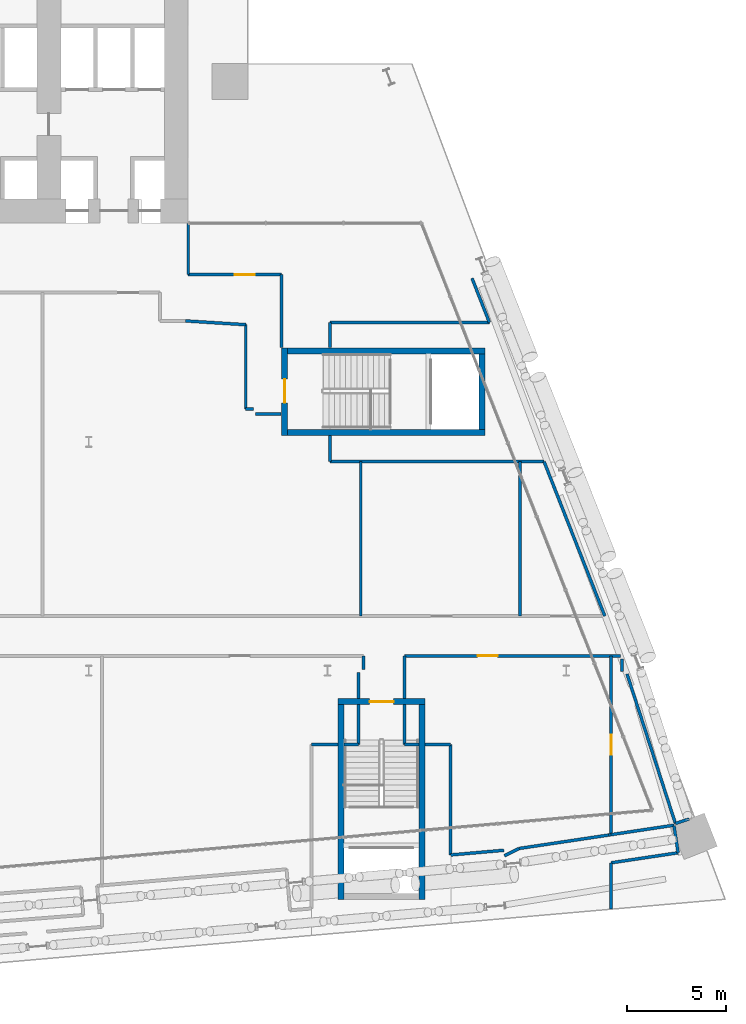
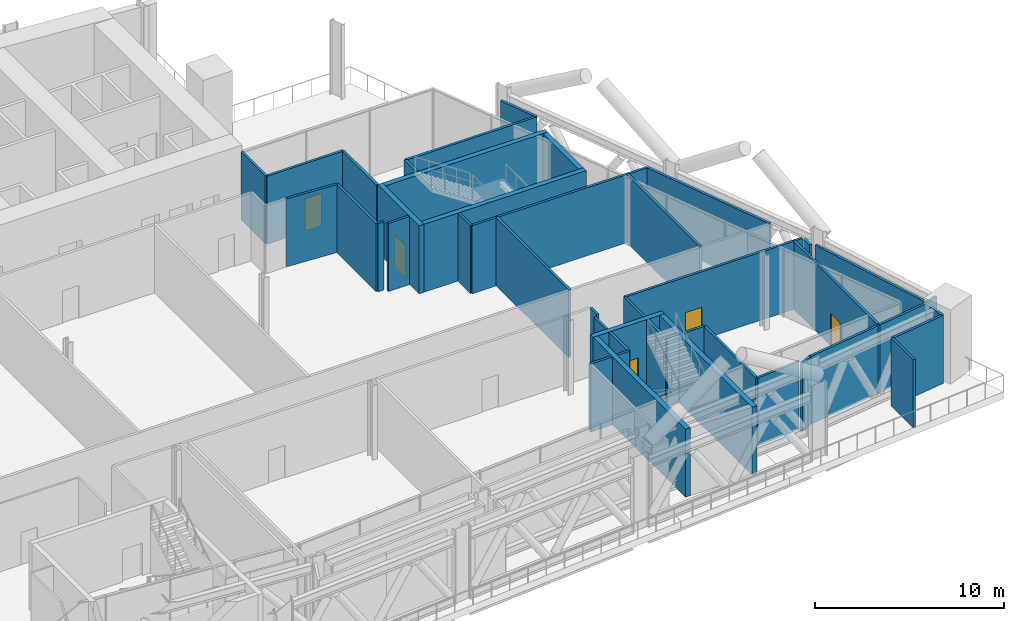
# One storey, part 22 of 39: 45 walls, 5 doors, 5 openings.
"""IFC4 building model written with IfcOpenShell, lengths in metres."""

from ifc_helpers import new_model, si_unit, direction, frame, frame_2d, origin, place, context, subcontext, project, spatial, rectangle, extrude, material, layer, layer_set, type_object, element, fill, save


model = new_model("IFC4")

# Units and contexts
model_context = context("Model", 3, precision=1e-05, world=origin(), true_north=direction((0.0, 1.0)))
body_context = subcontext(model_context, "Body", "Model", "MODEL_VIEW")
ifc_project = project(units=[si_unit("LENGTHUNIT", "METRE"), si_unit("AREAUNIT", "SQUARE_METRE"), si_unit("VOLUMEUNIT", "CUBIC_METRE"), si_unit("PLANEANGLEUNIT", "RADIAN"), si_unit("MASSUNIT", "GRAM", prefix="KILO")], contexts=[model_context])

# Site, building, storey
site_placement = place(None, origin())
site = spatial("IfcSite", under=ifc_project, at=site_placement, CompositionType="ELEMENT")
building_placement = place(site_placement, origin())
building = spatial("IfcBuilding", under=site, at=building_placement, Name="Wharfspan Tower", CompositionType="ELEMENT")
storey_placement = place(building_placement, frame((0.0, 0.0, 91.899902)))
storey = spatial("IfcBuildingStorey", under=building, at=storey_placement, Name="L20", CompositionType="ELEMENT", Elevation=91.899902)

# Wall
ifc_material_1 = material(Name="Gypsum board on steel studs", Category="steel")
ifc_layer_1 = layer(ifc_material_1, 0.149902)
ifc_layer_set_1 = layer_set([ifc_layer_1], Name="Gypsum board on steel studs")
wall_type_1 = type_object("IfcWallType", Name="Plant room wall 150 EI 120", PredefinedType="PARTITIONING", material=ifc_layer_set_1)
wall_1_placement = place(storey_placement, frame((65.0, 31.399902, 0.0), z_axis=(0.0, 0.0, 1.0), x_axis=(0.0, 1.0, 0.0)))
element("IfcWall", 1, at=wall_1_placement, inside=storey, type_object=wall_type_1, Name="Partition L20.w091", PredefinedType="PARTITIONING", context=body_context, shape_type="SweptSolid", body=[
    extrude(rectangle(XDim=2.580078, YDim=0.149902, at=frame_2d((1.290039, 0.0))), origin(), (0.0, 0.0, 1.0), 4.400146),
])

# Wall, opening, door
wall_2_placement = place(storey_placement, frame((65.0, 31.399902, 0.0), z_axis=(0.0, 0.0, 1.0), x_axis=(1.0, 0.0, 0.0)))
wall_2 = element("IfcWall", 2, at=wall_2_placement, inside=storey, type_object=wall_type_1, Name="Partition L20.w092", PredefinedType="PARTITIONING", context=body_context, shape_type="SweptSolid", body=[
    extrude(rectangle(XDim=4.689941, YDim=0.149902, at=frame_2d((2.344971, 0.0))), origin(), (0.0, 0.0, 1.0), 4.400146),
])
opening_1_placement = place(wall_2_placement, frame((2.344971, 0.0, 0.0)))
opening_1 = element("IfcOpeningElement", 3, at=opening_1_placement, cuts=wall_2, Name="Opening BA-22", PredefinedType="OPENING", context=body_context, shape_type="SweptSolid", body=[
    extrude(rectangle(XDim=1.0, YDim=2.100098, at=frame_2d((0.5, 1.050049))), frame((0.0, 0.084961, 0.0), z_axis=(0.0, -1.0, 0.0), x_axis=(1.0, 0.0, 0.0)), (0.0, 0.0, 1.0), 0.169922),
])
ifc_material_2 = material(Name="Fire-rated timber door leaf in steel frame", Category="steel")
door_type_1 = type_object("IfcDoorType", Name="Door 1000 FD60 Right", OperationType="SINGLE_SWING_RIGHT", PredefinedType="DOOR", material=ifc_material_2)
door_1_placement = place(opening_1_placement, origin())
door_1 = element("IfcDoor", 4, at=door_1_placement, inside=storey, type_object=door_type_1, Name="Door BA-22", OperationType="SINGLE_SWING_RIGHT", OverallHeight=2.100098, OverallWidth=1.0, PredefinedType="DOOR", context=body_context, shape_type="SweptSolid", body=[
    extrude(rectangle(XDim=1.0, YDim=2.100098, at=frame_2d((0.5, 1.050049))), frame((0.0, 0.024902, 0.0), z_axis=(0.0, -1.0, 0.0), x_axis=(1.0, 0.0, 0.0)), (0.0, 0.0, 1.0), 0.050049),
])
fill(opening_1, door_1)

# Walls
wall_3_placement = place(storey_placement, frame((67.889893, 28.88501, 0.0), z_axis=(0.0, 0.0, 1.0), x_axis=(-0.998045, 0.062569, 0.0)))
element("IfcWall", 5, at=wall_3_placement, inside=storey, type_object=wall_type_1, Name="Partition L20.w093", PredefinedType="PARTITIONING", context=body_context, shape_type="SweptSolid", body=[
    extrude(rectangle(XDim=3.035645, YDim=0.149902, at=frame_2d((1.517822, 0.0))), origin(), (0.0, 0.0, 1.0), 4.400146),
])
wall_4_placement = place(storey_placement, frame((67.889893, 24.649902, 0.0), z_axis=(0.0, 0.0, 1.0), x_axis=(0.0, 1.0, 0.0)))
element("IfcWall", 6, at=wall_4_placement, inside=storey, type_object=wall_type_1, Name="Partition L20.w094", PredefinedType="PARTITIONING", context=body_context, shape_type="SweptSolid", body=[
    extrude(rectangle(XDim=4.235107, YDim=0.149902, at=frame_2d((2.117676, 0.0))), origin(), (0.0, 0.0, 1.0), 4.400146),
])
wall_5_placement = place(storey_placement, frame((67.889893, 24.649902, 0.0), z_axis=(0.0, 0.0, 1.0), x_axis=(1.0, 0.0, 0.0)))
element("IfcWall", 7, at=wall_5_placement, inside=storey, type_object=wall_type_1, Name="Partition L20.w095", PredefinedType="PARTITIONING", context=body_context, shape_type="SweptSolid", body=[
    extrude(rectangle(XDim=0.380127, YDim=0.149902, at=frame_2d((0.189941, 0.0))), origin(), (0.0, 0.0, 1.0), 4.400146),
])
wall_6_placement = place(storey_placement, frame((68.389893, 24.399902, 0.0), z_axis=(0.0, 0.0, 1.0), x_axis=(1.0, 0.0, 0.0)))
element("IfcWall", 8, at=wall_6_placement, inside=storey, type_object=wall_type_1, Name="Partition L20.w096", PredefinedType="PARTITIONING", context=body_context, shape_type="SweptSolid", body=[
    extrude(rectangle(XDim=1.280518, YDim=0.149902, at=frame_2d((0.640137, 0.0))), origin(), (0.0, 0.0, 1.0), 4.400146),
])
wall_7_placement = place(storey_placement, frame((69.689941, 27.745117, 0.0), z_axis=(0.0, 0.0, 1.0), x_axis=(0.0, 1.0, 0.0)))
element("IfcWall", 9, at=wall_7_placement, inside=storey, type_object=wall_type_1, Name="Partition L20.w097", PredefinedType="PARTITIONING", context=body_context, shape_type="SweptSolid", body=[
    extrude(rectangle(XDim=3.654785, YDim=0.149902, at=frame_2d((1.827393, 0.0))), origin(), (0.0, 0.0, 1.0), 4.400146),
])
wall_8_placement = place(storey_placement, frame((71.189941, 7.790039, 0.0), z_axis=(0.0, 0.0, 1.0), x_axis=(1.0, 0.0, 0.0)))
element("IfcWall", 10, at=wall_8_placement, inside=storey, type_object=wall_type_1, Name="Partition L20.w102", PredefinedType="PARTITIONING", context=body_context, shape_type="SweptSolid", body=[
    extrude(rectangle(XDim=1.327637, YDim=0.149902, at=frame_2d((0.663818, 0.0))), origin(), (0.0, 0.0, 1.0), 4.400146),
])
wall_9_placement = place(storey_placement, frame((72.125, 22.0, 0.0), z_axis=(0.0, 0.0, 1.0), x_axis=(0.0, 1.0, 0.0)))
element("IfcWall", 11, at=wall_9_placement, inside=storey, type_object=wall_type_1, Name="Partition L20.w103", PredefinedType="PARTITIONING", context=body_context, shape_type="SweptSolid", body=[
    extrude(rectangle(XDim=1.304932, YDim=0.149902, at=frame_2d((0.652344, 0.0))), origin(), (0.0, 0.0, 1.0), 4.400146),
])
wall_10_placement = place(storey_placement, frame((72.125, 22.0, 0.0), z_axis=(0.0, 0.0, 1.0), x_axis=(1.0, 0.0, 0.0)))
element("IfcWall", 12, at=wall_10_placement, inside=storey, type_object=wall_type_1, Name="Partition L20.w104", PredefinedType="PARTITIONING", context=body_context, shape_type="SweptSolid", body=[
    extrude(rectangle(XDim=10.76001, YDim=0.149902, at=frame_2d((5.379883, 0.0))), origin(), (0.0, 0.0, 1.0), 4.400146),
])
wall_11_placement = place(storey_placement, frame((72.125, 27.745117, 0.0), z_axis=(0.0, 0.0, 1.0), x_axis=(0.0, 1.0, 0.0)))
element("IfcWall", 13, at=wall_11_placement, inside=storey, type_object=wall_type_1, Name="Partition L20.w105", PredefinedType="PARTITIONING", context=body_context, shape_type="SweptSolid", body=[
    extrude(rectangle(XDim=1.254883, YDim=0.149902, at=frame_2d((0.627441, 0.0))), origin(), (0.0, 0.0, 1.0), 4.400146),
])
wall_12_placement = place(storey_placement, frame((72.125, 29.0, 0.0), z_axis=(0.0, 0.0, 1.0), x_axis=(1.0, 0.0, 0.0)))
element("IfcWall", 14, at=wall_12_placement, inside=storey, type_object=wall_type_1, Name="Partition L20.w106", PredefinedType="PARTITIONING", context=body_context, shape_type="SweptSolid", body=[
    extrude(rectangle(XDim=8.01001, YDim=0.149902, at=frame_2d((4.004883, 0.0))), origin(), (0.0, 0.0, 1.0), 4.400146),
])
wall_13_placement = place(storey_placement, frame((73.564941, 7.790039, 0.0), z_axis=(0.0, 0.0, 1.0), x_axis=(0.0, 1.0, 0.0)))
element("IfcWall", 15, at=wall_13_placement, inside=storey, type_object=wall_type_1, Name="Partition L20.w107", PredefinedType="PARTITIONING", context=body_context, shape_type="SweptSolid", body=[
    extrude(rectangle(XDim=2.004639, YDim=0.149902, at=frame_2d((1.002441, 0.0))), origin(), (0.0, 0.0, 1.0), 4.400146),
])
wall_14_placement = place(storey_placement, frame((73.669922, 14.23999, 0.0), z_axis=(0.0, 0.0, 1.0), x_axis=(0.0, 1.0, 0.0)))
element("IfcWall", 16, at=wall_14_placement, inside=storey, type_object=wall_type_1, Name="Partition L20.w108", PredefinedType="PARTITIONING", context=body_context, shape_type="SweptSolid", body=[
    extrude(rectangle(XDim=7.76001, YDim=0.149902, at=frame_2d((3.879883, 0.0))), origin(), (0.0, 0.0, 1.0), 4.400146),
])
wall_15_placement = place(storey_placement, frame((73.814941, 11.544922, 0.0), z_axis=(0.0, 0.0, 1.0), x_axis=(0.0, 1.0, 0.0)))
element("IfcWall", 17, at=wall_15_placement, inside=storey, type_object=wall_type_1, Name="Partition L20.w109", PredefinedType="PARTITIONING", context=body_context, shape_type="SweptSolid", body=[
    extrude(rectangle(XDim=0.690186, YDim=0.149902, at=frame_2d((0.345215, 0.0))), origin(), (0.0, 0.0, 1.0), 4.400146),
])
wall_16_placement = place(storey_placement, frame((75.86499, 7.790039, 0.0), z_axis=(0.0, 0.0, 1.0), x_axis=(0.0, 1.0, 0.0)))
element("IfcWall", 18, at=wall_16_placement, inside=storey, type_object=wall_type_1, Name="Partition L20.w110", PredefinedType="PARTITIONING", context=body_context, shape_type="SweptSolid", body=[
    extrude(rectangle(XDim=2.004639, YDim=0.149902, at=frame_2d((1.002441, 0.0))), origin(), (0.0, 0.0, 1.0), 4.400146),
])
wall_17_placement = place(storey_placement, frame((75.86499, 7.790039, 0.0), z_axis=(0.0, 0.0, 1.0), x_axis=(1.0, 0.0, 0.0)))
element("IfcWall", 19, at=wall_17_placement, inside=storey, type_object=wall_type_1, Name="Partition L20.w111", PredefinedType="PARTITIONING", context=body_context, shape_type="SweptSolid", body=[
    extrude(rectangle(XDim=0.726074, YDim=0.149902, at=frame_2d((0.363037, 0.0))), origin(), (0.0, 0.0, 1.0), 4.400146),
])

# Wall, opening, door
wall_18_placement = place(storey_placement, frame((75.86499, 12.235107, 0.0), z_axis=(0.0, 0.0, 1.0), x_axis=(1.0, 0.0, 0.0)))
wall_18 = element("IfcWall", 20, at=wall_18_placement, inside=storey, type_object=wall_type_1, Name="Partition L20.w112", PredefinedType="PARTITIONING", context=body_context, shape_type="SweptSolid", body=[
    extrude(rectangle(XDim=10.858887, YDim=0.149902, at=frame_2d((5.429443, 0.0))), origin(), (0.0, 0.0, 1.0), 4.400146),
])
opening_2_placement = place(wall_18_placement, frame((3.679932, 0.0, 0.0)))
opening_2 = element("IfcOpeningElement", 21, at=opening_2_placement, cuts=wall_18, Name="Opening BA-12", PredefinedType="OPENING", context=body_context, shape_type="SweptSolid", body=[
    extrude(rectangle(XDim=1.0, YDim=2.100098, at=frame_2d((0.5, 1.050049))), frame((0.0, 0.084961, 0.0), z_axis=(0.0, -1.0, 0.0), x_axis=(1.0, 0.0, 0.0)), (0.0, 0.0, 1.0), 0.169922),
])
door_type_2 = type_object("IfcDoorType", Name="Door 1000 FD60 Left", OperationType="SINGLE_SWING_LEFT", PredefinedType="DOOR", material=ifc_material_2)
door_2_placement = place(opening_2_placement, origin())
door_2 = element("IfcDoor", 22, at=door_2_placement, inside=storey, type_object=door_type_2, Name="Door BA-12", OperationType="SINGLE_SWING_LEFT", OverallHeight=2.100098, OverallWidth=1.0, PredefinedType="DOOR", context=body_context, shape_type="SweptSolid", body=[
    extrude(rectangle(XDim=1.0, YDim=2.100098, at=frame_2d((0.5, 1.050049))), frame((0.0, 0.024902, 0.0), z_axis=(0.0, -1.0, 0.0), x_axis=(1.0, 0.0, 0.0)), (0.0, 0.0, 1.0), 0.050049),
])
fill(opening_2, door_2)

# Walls
wall_19_placement = place(storey_placement, frame((78.189941, 2.235107, 0.0), z_axis=(0.0, 0.0, 1.0), x_axis=(0.996154, 0.08762, 0.0)))
element("IfcWall", 23, at=wall_19_placement, inside=storey, type_object=wall_type_1, Name="Partition L20.w113", PredefinedType="PARTITIONING", context=body_context, shape_type="SweptSolid", body=[
    extrude(rectangle(XDim=2.68042, YDim=0.149902, at=frame_2d((1.340332, 0.0))), origin(), (0.0, 0.0, 1.0), 4.400146),
])
wall_20_placement = place(storey_placement, frame((78.189941, 2.235107, 0.0), z_axis=(0.0, 0.0, 1.0), x_axis=(0.0, 1.0, 0.0)))
element("IfcWall", 24, at=wall_20_placement, inside=storey, type_object=wall_type_1, Name="Partition L20.w114", PredefinedType="PARTITIONING", context=body_context, shape_type="SweptSolid", body=[
    extrude(rectangle(XDim=5.554932, YDim=0.149902, at=frame_2d((2.777344, 0.0))), origin(), (0.0, 0.0, 1.0), 4.400146),
])
wall_21_placement = place(storey_placement, frame((80.13501, 29.0, 0.0), z_axis=(0.0, 0.0, 1.0), x_axis=(-0.365801, 0.930692, 0.0)))
element("IfcWall", 25, at=wall_21_placement, inside=storey, type_object=wall_type_1, Name="Partition L20.w115", PredefinedType="PARTITIONING", context=body_context, shape_type="SweptSolid", body=[
    extrude(rectangle(XDim=2.382568, YDim=0.149902, at=frame_2d((1.191406, 0.0))), origin(), (0.0, 0.0, 1.0), 4.400146),
])
wall_22_placement = place(storey_placement, frame((80.88501, 2.189941, 0.0), z_axis=(0.0, 0.0, 1.0), x_axis=(0.894365, 0.44733, 0.0)))
element("IfcWall", 26, at=wall_22_placement, inside=storey, type_object=wall_type_1, Name="Partition L20.w116", PredefinedType="PARTITIONING", context=body_context, shape_type="SweptSolid", body=[
    extrude(rectangle(XDim=0.827393, YDim=0.149902, at=frame_2d((0.413574, 0.0))), origin(), (0.0, 0.0, 1.0), 4.400146),
])
wall_23_placement = place(storey_placement, frame((81.625, 2.560059, 0.0), z_axis=(0.0, 0.0, 1.0), x_axis=(0.988954, 0.148193, 0.0)))
element("IfcWall", 27, at=wall_23_placement, inside=storey, type_object=wall_type_1, Name="Partition L20.w117", PredefinedType="PARTITIONING", context=body_context, shape_type="SweptSolid", body=[
    extrude(rectangle(XDim=4.555176, YDim=0.149902, at=frame_2d((2.277588, 0.0))), origin(), (0.0, 0.0, 1.0), 4.400146),
])
wall_24_placement = place(storey_placement, frame((81.669922, 14.23999, 0.0), z_axis=(0.0, 0.0, 1.0), x_axis=(0.0, 1.0, 0.0)))
element("IfcWall", 28, at=wall_24_placement, inside=storey, type_object=wall_type_1, Name="Partition L20.w118", PredefinedType="PARTITIONING", context=body_context, shape_type="SweptSolid", body=[
    extrude(rectangle(XDim=7.76001, YDim=0.149902, at=frame_2d((3.879883, 0.0))), origin(), (0.0, 0.0, 1.0), 4.400146),
])
wall_25_placement = place(storey_placement, frame((85.935059, 14.23999, 0.0), z_axis=(0.0, 0.0, 1.0), x_axis=(-0.365805, 0.93069, 0.0)))
element("IfcWall", 29, at=wall_25_placement, inside=storey, type_object=wall_type_1, Name="Partition L20.w119", PredefinedType="PARTITIONING", context=body_context, shape_type="SweptSolid", body=[
    extrude(rectangle(XDim=8.337891, YDim=0.149902, at=frame_2d((4.168945, 0.0))), origin(), (0.0, 0.0, 1.0), 4.400146),
])
wall_26_placement = place(storey_placement, frame((86.129883, 3.235107, 0.0), z_axis=(0.0, 0.0, 1.0), x_axis=(0.986715, 0.162447, 0.0)))
element("IfcWall", 30, at=wall_26_placement, inside=storey, type_object=wall_type_1, Name="Partition L20.w120", PredefinedType="PARTITIONING", context=body_context, shape_type="SweptSolid", body=[
    extrude(rectangle(XDim=0.121826, YDim=0.149902, at=frame_2d((0.061035, 0.0))), origin(), (0.0, 0.0, 1.0), 4.400146),
])
wall_27_placement = place(storey_placement, frame((86.25, 1.839355, 0.0), z_axis=(0.0, 0.0, 1.0), x_axis=(0.988924, 0.148403, 0.0)))
element("IfcWall", 31, at=wall_27_placement, inside=storey, type_object=wall_type_1, Name="Partition L20.w121", PredefinedType="PARTITIONING", context=body_context, shape_type="SweptSolid", body=[
    extrude(rectangle(XDim=3.4104, YDim=0.149902, at=frame_2d((1.705078, 0.0))), origin(), (0.0, 0.0, 1.0), 4.400146),
])
wall_28_placement = place(storey_placement, frame((86.25, -0.48291, 0.0), z_axis=(0.0, 0.0, 1.0), x_axis=(0.0, 1.0, 0.0)))
element("IfcWall", 32, at=wall_28_placement, inside=storey, type_object=wall_type_1, Name="Partition L20.w122", PredefinedType="PARTITIONING", context=body_context, shape_type="SweptSolid", body=[
    extrude(rectangle(XDim=2.322266, YDim=0.149902, at=frame_2d((1.161133, 0.0))), origin(), (0.0, 0.0, 1.0), 4.400146),
])

# Wall, opening, door
wall_29_placement = place(storey_placement, frame((86.25, 3.254883, 0.0), z_axis=(0.0, 0.0, 1.0), x_axis=(0.0, 1.0, 0.0)))
wall_29 = element("IfcWall", 33, at=wall_29_placement, inside=storey, type_object=wall_type_1, Name="Partition L20.w123", PredefinedType="PARTITIONING", context=body_context, shape_type="SweptSolid", body=[
    extrude(rectangle(XDim=8.980225, YDim=0.149902, at=frame_2d((4.490234, 0.0))), origin(), (0.0, 0.0, 1.0), 4.400146),
])
opening_3_placement = place(wall_29_placement, frame((4.019043, 0.0, 0.0)))
opening_3 = element("IfcOpeningElement", 34, at=opening_3_placement, cuts=wall_29, Name="Opening BA-01", PredefinedType="OPENING", context=body_context, shape_type="SweptSolid", body=[
    extrude(rectangle(XDim=1.0, YDim=2.100098, at=frame_2d((0.5, 1.050049))), frame((0.0, 0.084961, 0.0), z_axis=(0.0, -1.0, 0.0), x_axis=(1.0, 0.0, 0.0)), (0.0, 0.0, 1.0), 0.169922),
])
door_3_placement = place(opening_3_placement, origin())
door_3 = element("IfcDoor", 35, at=door_3_placement, inside=storey, type_object=door_type_1, Name="Door BA-01", OperationType="SINGLE_SWING_RIGHT", OverallHeight=2.100098, OverallWidth=1.0, PredefinedType="DOOR", context=body_context, shape_type="SweptSolid", body=[
    extrude(rectangle(XDim=1.0, YDim=2.100098, at=frame_2d((0.5, 1.050049))), frame((0.0, 0.024902, 0.0), z_axis=(0.0, -1.0, 0.0), x_axis=(1.0, 0.0, 0.0)), (0.0, 0.0, 1.0), 0.050049),
])
fill(opening_3, door_3)

# Walls
wall_30_placement = place(storey_placement, frame((86.25, 3.254883, 0.0), z_axis=(0.0, 0.0, 1.0), x_axis=(0.988889, 0.148681, 0.0)))
element("IfcWall", 36, at=wall_30_placement, inside=storey, type_object=wall_type_1, Name="Partition L20.w124", PredefinedType="PARTITIONING", context=body_context, shape_type="SweptSolid", body=[
    extrude(rectangle(XDim=3.195312, YDim=0.149902, at=frame_2d((1.597656, 0.0))), origin(), (0.0, 0.0, 1.0), 4.400146),
])
wall_31_placement = place(storey_placement, frame((86.800049, 11.459961, 0.0), z_axis=(0.0, 0.0, 1.0), x_axis=(0.0, 1.0, 0.0)))
element("IfcWall", 37, at=wall_31_placement, inside=storey, type_object=wall_type_1, Name="Partition L20.w125", PredefinedType="PARTITIONING", context=body_context, shape_type="SweptSolid", body=[
    extrude(rectangle(XDim=0.620117, YDim=0.149902, at=frame_2d((0.310059, 0.0))), origin(), (0.0, 0.0, 1.0), 4.400146),
])
wall_32_placement = place(storey_placement, frame((89.483643, 3.816406, 0.0), z_axis=(0.0, 0.0, 1.0), x_axis=(-0.307849, 0.951432, 0.0)))
element("IfcWall", 38, at=wall_32_placement, inside=storey, type_object=wall_type_1, Name="Partition L20.w126", PredefinedType="PARTITIONING", context=body_context, shape_type="SweptSolid", body=[
    extrude(rectangle(XDim=7.897217, YDim=0.149902, at=frame_2d((3.94873, 0.0))), origin(), (0.0, 0.0, 1.0), 4.400146),
])
wall_33_placement = place(storey_placement, frame((89.485107, 3.814941, 0.0), z_axis=(0.0, 0.0, 1.0), x_axis=(0.950589, 0.310465, 0.0)))
element("IfcWall", 39, at=wall_33_placement, inside=storey, type_object=wall_type_1, Name="Partition L20.w127", PredefinedType="PARTITIONING", context=body_context, shape_type="SweptSolid", body=[
    extrude(rectangle(XDim=0.725098, YDim=0.149902, at=frame_2d((0.362549, 0.0))), origin(), (0.0, 0.0, 1.0), 4.400146),
])
wall_34_placement = place(storey_placement, frame((89.620117, 2.344971, 0.0), z_axis=(0.0, 0.0, 1.0), x_axis=(-0.149996, 0.988691, 0.0)))
element("IfcWall", 40, at=wall_34_placement, inside=storey, type_object=wall_type_1, Name="Partition L20.w128", PredefinedType="PARTITIONING", context=body_context, shape_type="SweptSolid", body=[
    extrude(rectangle(XDim=1.370605, YDim=0.149902, at=frame_2d((0.685303, 0.0))), origin(), (0.0, 0.0, 1.0), 4.400146),
])
wall_35_placement = place(storey_placement, frame((72.817383, 7.790039, 0.0), z_axis=(0.0, 0.0, 1.0), x_axis=(1.0, 0.0, 0.0)))
element("IfcWall", 41, at=wall_35_placement, inside=storey, type_object=wall_type_1, Name="Partition L20.w102 (2)", PredefinedType="PARTITIONING", context=body_context, shape_type="SweptSolid", body=[
    extrude(rectangle(XDim=0.747559, YDim=0.149902, at=frame_2d((0.373779, 0.0))), origin(), (0.0, 0.0, 1.0), 4.400146),
])
wall_36_placement = place(storey_placement, frame((73.564941, 10.094727, 0.0), z_axis=(0.0, 0.0, 1.0), x_axis=(0.0, 1.0, 0.0)))
element("IfcWall", 42, at=wall_36_placement, inside=storey, type_object=wall_type_1, Name="Partition L20.w107 (2)", PredefinedType="PARTITIONING", context=body_context, shape_type="SweptSolid", body=[
    extrude(rectangle(XDim=1.300293, YDim=0.149902, at=frame_2d((0.650146, 0.0))), origin(), (0.0, 0.0, 1.0), 4.400146),
])
wall_37_placement = place(storey_placement, frame((75.86499, 10.094727, 0.0), z_axis=(0.0, 0.0, 1.0), x_axis=(0.0, 1.0, 0.0)))
element("IfcWall", 43, at=wall_37_placement, inside=storey, type_object=wall_type_1, Name="Partition L20.w110 (2)", PredefinedType="PARTITIONING", context=body_context, shape_type="SweptSolid", body=[
    extrude(rectangle(XDim=2.140381, YDim=0.149902, at=frame_2d((1.070312, 0.0))), origin(), (0.0, 0.0, 1.0), 4.400146),
])
wall_38_placement = place(storey_placement, frame((76.891113, 7.790039, 0.0), z_axis=(0.0, 0.0, 1.0), x_axis=(1.0, 0.0, 0.0)))
element("IfcWall", 44, at=wall_38_placement, inside=storey, type_object=wall_type_1, Name="Partition L20.w111 (2)", PredefinedType="PARTITIONING", context=body_context, shape_type="SweptSolid", body=[
    extrude(rectangle(XDim=1.298828, YDim=0.149902, at=frame_2d((0.649414, 0.0))), origin(), (0.0, 0.0, 1.0), 4.400146),
])

# Wall, opening, door
ifc_material_3 = material(Name="Concrete C40/50", Category="concrete")
ifc_layer_2 = layer(ifc_material_3, 0.300049)
ifc_layer_set_2 = layer_set([ifc_layer_2], Name="Concrete C40/50")
wall_type_2 = type_object("IfcWallType", Name="Stair core wall 300", PredefinedType="SHEAR", material=ifc_layer_set_2)
wall_39_placement = place(storey_placement, frame((72.517578, 9.94458, 0.0), z_axis=(0.0, 0.0, 1.0), x_axis=(1.0, 0.0, 0.0)))
wall_39 = element("IfcWall", 45, at=wall_39_placement, inside=storey, type_object=wall_type_2, Name="ST5 stair enclosure wall L20", PredefinedType="SHEAR", context=body_context, shape_type="SweptSolid", body=[
    extrude(rectangle(XDim=4.373535, YDim=0.300049, at=frame_2d((2.186768, 0.0))), origin(), (0.0, 0.0, 1.0), 4.400146),
])
opening_4_placement = place(wall_39_placement, frame((1.598389, 0.0, 0.0)))
opening_4 = element("IfcOpeningElement", 46, at=opening_4_placement, cuts=wall_39, Name="Opening SD5.L20", PredefinedType="OPENING", context=body_context, shape_type="SweptSolid", body=[
    extrude(rectangle(XDim=1.199951, YDim=2.100098, at=frame_2d((0.600098, 1.050049))), frame((0.0, 0.159912, 0.0), z_axis=(0.0, -1.0, 0.0), x_axis=(1.0, 0.0, 0.0)), (0.0, 0.0, 1.0), 0.320068),
])
ifc_material_4 = material(Name="Steel door leaf", Category="steel")
door_type_3 = type_object("IfcDoorType", Name="Stair door 1200x2100", OperationType="SINGLE_SWING_LEFT", PredefinedType="DOOR", material=ifc_material_4)
door_4_placement = place(opening_4_placement, origin())
door_4 = element("IfcDoor", 47, at=door_4_placement, inside=storey, type_object=door_type_3, Name="sd:L20:ST5z2", OperationType="SINGLE_SWING_RIGHT", OverallHeight=2.100098, OverallWidth=1.199951, PredefinedType="DOOR", context=body_context, shape_type="SweptSolid", body=[
    extrude(rectangle(XDim=1.199951, YDim=2.100098, at=frame_2d((0.600098, 1.050049))), frame((0.0, 0.024902, 0.0), z_axis=(0.0, -1.0, 0.0), x_axis=(1.0, 0.0, 0.0)), (0.0, 0.0, 1.0), 0.050049),
])
fill(opening_4, door_4)

wall_40_placement = place(storey_placement, frame((69.840332, 23.324951, 0.0), z_axis=(0.0, 0.0, 1.0), x_axis=(0.0, 1.0, 0.0)))
wall_40 = element("IfcWall", 48, at=wall_40_placement, inside=storey, type_object=wall_type_2, Name="ST6 stair enclosure wall L20", PredefinedType="SHEAR", context=body_context, shape_type="SweptSolid", body=[
    extrude(rectangle(XDim=4.400146, YDim=0.300049, at=frame_2d((2.200195, 0.0))), origin(), (0.0, 0.0, 1.0), 4.400146),
])
opening_5_placement = place(wall_40_placement, frame((1.625, 0.0, 0.0)))
opening_5 = element("IfcOpeningElement", 49, at=opening_5_placement, cuts=wall_40, Name="Opening SD6.L20", PredefinedType="OPENING", context=body_context, shape_type="SweptSolid", body=[
    extrude(rectangle(XDim=1.199951, YDim=2.100098, at=frame_2d((0.600098, 1.050049))), frame((0.0, 0.159912, 0.0), z_axis=(0.0, -1.0, 0.0), x_axis=(1.0, 0.0, 0.0)), (0.0, 0.0, 1.0), 0.320068),
])
door_5_placement = place(opening_5_placement, origin())
door_5 = element("IfcDoor", 50, at=door_5_placement, inside=storey, type_object=door_type_3, Name="sd:L20:ST6z2", OperationType="SINGLE_SWING_RIGHT", OverallHeight=2.100098, OverallWidth=1.199951, PredefinedType="DOOR", context=body_context, shape_type="SweptSolid", body=[
    extrude(rectangle(XDim=1.199951, YDim=2.100098, at=frame_2d((0.600098, 1.050049))), frame((0.0, 0.024902, 0.0), z_axis=(0.0, -1.0, 0.0), x_axis=(1.0, 0.0, 0.0)), (0.0, 0.0, 1.0), 0.050049),
])
fill(opening_5, door_5)

# Walls
for number, where, z_axis, x_axis, name in (
    (51, (72.66748, -0.008057, 0.0), (0.0, 0.0, 1.0), (0.0, 1.0, 0.0), "ST5 stair enclosure wall L20"),
    (52, (76.740967, -0.008057, 0.0), (0.0, 0.0, 1.0), (0.0, 1.0, 0.0), "ST5 stair enclosure wall L20"),
):
    element("IfcWall", number, at=place(storey_placement, frame(where, z_axis=z_axis, x_axis=x_axis)), inside=storey, type_object=wall_type_2, Name=name, PredefinedType="SHEAR", context=body_context, shape_type="SweptSolid", body=[
        extrude(rectangle(XDim=9.802734, YDim=0.300049, at=frame_2d((4.901367, 0.0))), origin(), (0.0, 0.0, 1.0), 4.400146),
    ])
for number, where, z_axis, x_axis, name in (
    (53, (69.990479, 23.475098, 0.0), (0.0, 0.0, 1.0), (1.0, 0.0, 0.0), "ST6 stair enclosure wall L20"),
    (54, (69.990479, 27.574951, 0.0), (0.0, 0.0, 1.0), (1.0, 0.0, 0.0), "ST6 stair enclosure wall L20"),
):
    element("IfcWall", number, at=place(storey_placement, frame(where, z_axis=z_axis, x_axis=x_axis)), inside=storey, type_object=wall_type_2, Name=name, PredefinedType="SHEAR", context=body_context, shape_type="SweptSolid", body=[
        extrude(rectangle(XDim=9.93457, YDim=0.300049, at=frame_2d((4.967285, 0.0))), origin(), (0.0, 0.0, 1.0), 4.400146),
    ])
wall_41_placement = place(storey_placement, frame((79.774902, 23.625, 0.0), z_axis=(0.0, 0.0, 1.0), x_axis=(0.0, 1.0, 0.0)))
element("IfcWall", 55, at=wall_41_placement, inside=storey, type_object=wall_type_2, Name="ST6 stair enclosure wall L20", PredefinedType="SHEAR", context=body_context, shape_type="SweptSolid", body=[
    extrude(rectangle(XDim=3.800049, YDim=0.300049, at=frame_2d((1.899902, 0.0))), origin(), (0.0, 0.0, 1.0), 4.400146),
])

save(model, "model.ifc")
